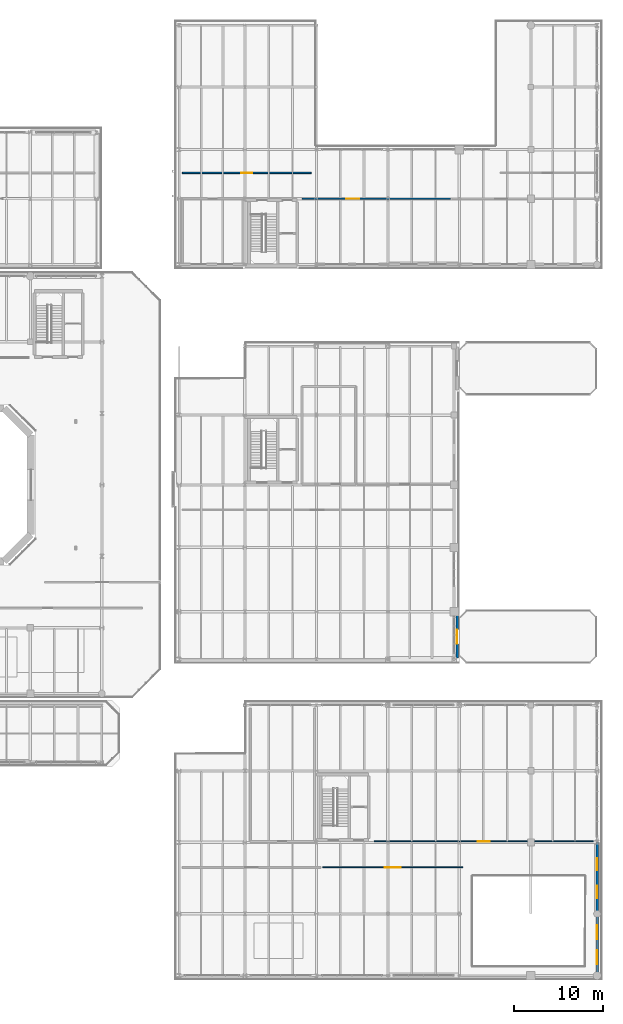
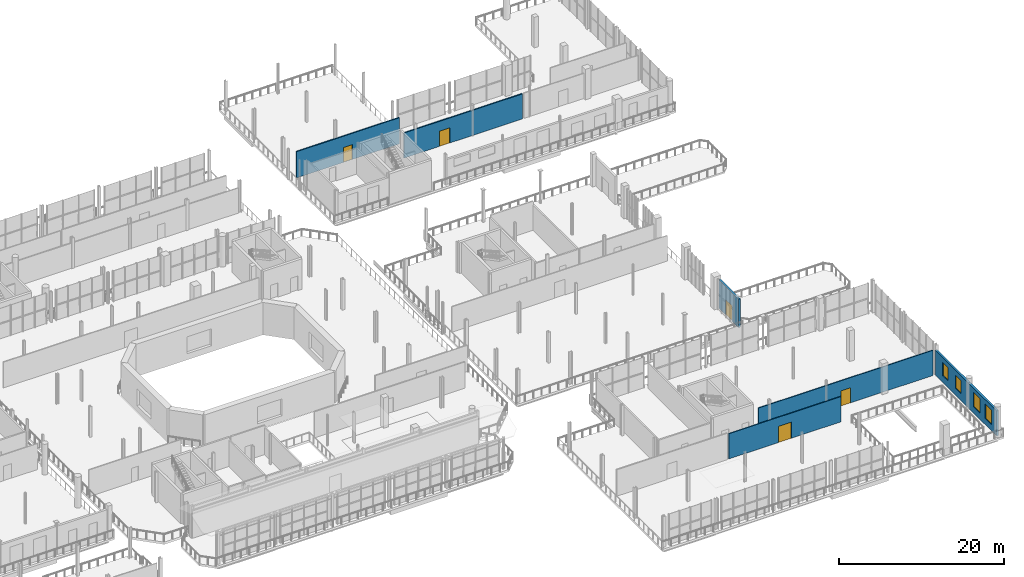
# One storey, part 74 of 93: 7 walls, 5 doors, 4 windows, 9 openings.
"""IFC4 building model written with IfcOpenShell, lengths in metres."""

from ifc_helpers import new_model, si_unit, direction, frame, frame_2d, origin, place, context, subcontext, project, spatial, rectangle, extrude, material, layer, layer_set, type_object, element, fill, save


model = new_model("IFC4")

# Units and contexts
model_context = context("Model", 3, precision=1e-05, world=origin(), true_north=direction((0.0, 1.0)))
body_context = subcontext(model_context, "Body", "Model", "MODEL_VIEW")
ifc_project = project(units=[si_unit("LENGTHUNIT", "METRE"), si_unit("AREAUNIT", "SQUARE_METRE"), si_unit("VOLUMEUNIT", "CUBIC_METRE"), si_unit("PLANEANGLEUNIT", "RADIAN"), si_unit("MASSUNIT", "GRAM", prefix="KILO")], contexts=[model_context])

# Site, building, storey
site_placement = place(None, origin())
site = spatial("IfcSite", under=ifc_project, at=site_placement, CompositionType="ELEMENT")
building_placement = place(site_placement, origin())
building = spatial("IfcBuilding", under=site, at=building_placement, Name="Brisemont Oceanarium", CompositionType="ELEMENT")
storey_placement = place(building_placement, frame((0.0, 0.0, 5.39990234375)))
storey = spatial("IfcBuildingStorey", under=building, at=storey_placement, Name="L01", CompositionType="ELEMENT", Elevation=5.39990234375)

# Wall, opening, door
ifc_material_1 = material(Name="Beaux-Arts Limestone Cladding Precast Concrete C40/50", Category="masonry")
ifc_layer_1 = layer(ifc_material_1, 0.280029296875)
ifc_layer_set_1 = layer_set([ifc_layer_1], Name="Beaux-Arts Limestone Cladding Precast Concrete C40/50")
wall_type_1 = type_object("IfcWallType", Name="EW-LIME-280", PredefinedType="STANDARD", material=ifc_layer_set_1)
wall_1_placement = place(storey_placement, frame((143.75, 36.60009765625, 0.0), z_axis=(0.0, 0.0, 1.0), x_axis=(0.0, 1.0, 0.0)))
wall_1 = element("IfcWall", 1, at=wall_1_placement, inside=storey, type_object=wall_type_1, Name="Beaux-Arts exterior wall EW-V5ETERS-L01", PredefinedType="STANDARD", context=body_context, shape_type="SweptSolid", body=[
    extrude(rectangle(XDim=4.7998046875, YDim=0.280029296875, at=frame_2d((2.39990234375, 0.0))), origin(), (0.0, 0.0, 1.0), 4.2001953125),
])
opening_1_placement = place(wall_1_placement, frame((1.60009765625, 0.0, 0.0)))
opening_1 = element("IfcOpeningElement", 2, at=opening_1_placement, cuts=wall_1, Name="Opening ED-01", PredefinedType="OPENING", context=body_context, shape_type="SweptSolid", body=[
    extrude(rectangle(XDim=1.60009765625, YDim=2.25, at=frame_2d((0.800048828125, 1.125))), frame((0.0, 0.14990234375, 0.0), z_axis=(0.0, -1.0, 0.0), x_axis=(1.0, 0.0, 0.0)), (0.0, 0.0, 1.0), 0.300048828125),
])
ifc_material_2 = material(Name="Anodized Extruded Aluminum 6063-T6", Category="aluminium")
door_type_1 = type_object("IfcDoorType", Name="DR-TER-1600X2250", OperationType="NOTDEFINED", PredefinedType="DOOR", material=ifc_material_2)
door_1_placement = place(opening_1_placement, origin())
door_1 = element("IfcDoor", 3, at=door_1_placement, inside=storey, type_object=door_type_1, Name="ED-01 exterior entrance door 6", OperationType="SINGLE_SWING_LEFT", OverallHeight=2.25, OverallWidth=1.60009765625, PredefinedType="DOOR", context=body_context, shape_type="SweptSolid", body=[
    extrude(rectangle(XDim=1.60009765625, YDim=2.25, at=frame_2d((0.800048828125, 1.125))), frame((0.0, 0.02490234375, 0.0), z_axis=(0.0, -1.0, 0.0), x_axis=(1.0, 0.0, 0.0)), (0.0, 0.0, 1.0), 0.050048828125),
])
fill(opening_1, door_1)

# Wall, openings, windows
wall_2_placement = place(storey_placement, frame((159.39990234375, 1.10009765625, 0.0), z_axis=(0.0, 0.0, 1.0), x_axis=(0.0, 1.0, 0.0)))
wall_2 = element("IfcWall", 4, at=wall_2_placement, inside=storey, type_object=wall_type_1, Name="Beaux-Arts exterior wall EW-V3-E-L01-1", PredefinedType="STANDARD", context=body_context, shape_type="SweptSolid", body=[
    extrude(rectangle(XDim=6.89990234375, YDim=0.280029296875, at=frame_2d((3.449951171875, 0.0))), origin(), (0.0, 0.0, 1.0), 3.7001953125),
])
opening_2_placement = place(wall_2_placement, frame((1.2666015625, 0.0, 0.949951171875)))
opening_2 = element("IfcOpeningElement", 5, at=opening_2_placement, cuts=wall_2, Name="Opening WIN-21", PredefinedType="OPENING", context=body_context, shape_type="SweptSolid", body=[
    extrude(rectangle(XDim=1.550048828125, YDim=2.14990234375, at=frame_2d((0.77490234375, 1.074951171875))), frame((0.0, 0.14990234375, 0.0), z_axis=(0.0, -1.0, 0.0), x_axis=(1.0, 0.0, 0.0)), (0.0, 0.0, 1.0), 0.300048828125),
])
opening_3_placement = place(wall_2_placement, frame((4.083251953125, 0.0, 0.949951171875)))
opening_3 = element("IfcOpeningElement", 6, at=opening_3_placement, cuts=wall_2, Name="Opening WIN-21", PredefinedType="OPENING", context=body_context, shape_type="SweptSolid", body=[
    extrude(rectangle(XDim=1.550048828125, YDim=2.14990234375, at=frame_2d((0.77490234375, 1.074951171875))), frame((0.0, 0.14990234375, 0.0), z_axis=(0.0, -1.0, 0.0), x_axis=(1.0, 0.0, 0.0)), (0.0, 0.0, 1.0), 0.300048828125),
])
ifc_material_3 = material(Name="Insulated Low-E Laminated Glass", Category="glass")
window_type_1 = type_object("IfcWindowType", Name="WIN-BA-1550X2150", PartitioningType="SINGLE_PANEL", PredefinedType="WINDOW", material=ifc_material_3)
window_1_placement = place(opening_2_placement, origin())
window_1 = element("IfcWindow", 7, at=window_1_placement, inside=storey, type_object=window_type_1, Name="WIN-21 facade window 102", OverallHeight=2.14990234375, OverallWidth=1.550048828125, PartitioningType="SINGLE_PANEL", PredefinedType="WINDOW", context=body_context, shape_type="SweptSolid", body=[
    extrude(rectangle(XDim=1.550048828125, YDim=2.14990234375, at=frame_2d((0.77490234375, 1.074951171875))), frame((0.0, 0.030029296875, 0.0), z_axis=(0.0, -1.0, 0.0), x_axis=(1.0, 0.0, 0.0)), (0.0, 0.0, 1.0), 0.06005859375),
])
fill(opening_2, window_1)
window_2_placement = place(opening_3_placement, origin())
window_2 = element("IfcWindow", 8, at=window_2_placement, inside=storey, type_object=window_type_1, Name="WIN-21 facade window 103", OverallHeight=2.14990234375, OverallWidth=1.550048828125, PartitioningType="SINGLE_PANEL", PredefinedType="WINDOW", context=body_context, shape_type="SweptSolid", body=[
    extrude(rectangle(XDim=1.550048828125, YDim=2.14990234375, at=frame_2d((0.77490234375, 1.074951171875))), frame((0.0, 0.030029296875, 0.0), z_axis=(0.0, -1.0, 0.0), x_axis=(1.0, 0.0, 0.0)), (0.0, 0.0, 1.0), 0.06005859375),
])
fill(opening_3, window_2)

wall_3_placement = place(storey_placement, frame((159.39990234375, 8.0, 0.0), z_axis=(0.0, 0.0, 1.0), x_axis=(0.0, 1.0, 0.0)))
wall_3 = element("IfcWall", 9, at=wall_3_placement, inside=storey, type_object=wall_type_1, Name="Beaux-Arts exterior wall EW-V3-E-L01-2", PredefinedType="STANDARD", context=body_context, shape_type="SweptSolid", body=[
    extrude(rectangle(XDim=8.0, YDim=0.280029296875, at=frame_2d((4.0, 0.0))), origin(), (0.0, 0.0, 1.0), 3.7001953125),
])
opening_4_placement = place(wall_3_placement, frame((1.7666015625, 0.0, 1.0)))
opening_4 = element("IfcOpeningElement", 10, at=opening_4_placement, cuts=wall_3, Name="Opening WIN-23", PredefinedType="OPENING", context=body_context, shape_type="SweptSolid", body=[
    extrude(rectangle(XDim=1.35009765625, YDim=1.949951171875, at=frame_2d((0.675048828125, 0.97509765625))), frame((0.0, 0.14990234375, 0.0), z_axis=(0.0, -1.0, 0.0), x_axis=(1.0, 0.0, 0.0)), (0.0, 0.0, 1.0), 0.300048828125),
])
opening_5_placement = place(wall_3_placement, frame((4.88330078125, 0.0, 1.0)))
opening_5 = element("IfcOpeningElement", 11, at=opening_5_placement, cuts=wall_3, Name="Opening WIN-23", PredefinedType="OPENING", context=body_context, shape_type="SweptSolid", body=[
    extrude(rectangle(XDim=1.35009765625, YDim=1.949951171875, at=frame_2d((0.675048828125, 0.97509765625))), frame((0.0, 0.14990234375, 0.0), z_axis=(0.0, -1.0, 0.0), x_axis=(1.0, 0.0, 0.0)), (0.0, 0.0, 1.0), 0.300048828125),
])
ifc_material_4 = material(Name="Insulated Low-E Laminated Glass", Category="glass")
window_type_2 = type_object("IfcWindowType", Name="WIN-BA-1350X1950", PartitioningType="SINGLE_PANEL", PredefinedType="WINDOW", material=ifc_material_4)
window_3_placement = place(opening_4_placement, origin())
window_3 = element("IfcWindow", 12, at=window_3_placement, inside=storey, type_object=window_type_2, Name="WIN-23 facade window 104", OverallHeight=1.949951171875, OverallWidth=1.35009765625, PartitioningType="SINGLE_PANEL", PredefinedType="WINDOW", context=body_context, shape_type="SweptSolid", body=[
    extrude(rectangle(XDim=1.35009765625, YDim=1.949951171875, at=frame_2d((0.675048828125, 0.97509765625))), frame((0.0, 0.030029296875, 0.0), z_axis=(0.0, -1.0, 0.0), x_axis=(1.0, 0.0, 0.0)), (0.0, 0.0, 1.0), 0.06005859375),
])
fill(opening_4, window_3)
window_4_placement = place(opening_5_placement, origin())
window_4 = element("IfcWindow", 13, at=window_4_placement, inside=storey, type_object=window_type_2, Name="WIN-23 facade window 105", OverallHeight=1.949951171875, OverallWidth=1.35009765625, PartitioningType="SINGLE_PANEL", PredefinedType="WINDOW", context=body_context, shape_type="SweptSolid", body=[
    extrude(rectangle(XDim=1.35009765625, YDim=1.949951171875, at=frame_2d((0.675048828125, 0.97509765625))), frame((0.0, 0.030029296875, 0.0), z_axis=(0.0, -1.0, 0.0), x_axis=(1.0, 0.0, 0.0)), (0.0, 0.0, 1.0), 0.06005859375),
])
fill(opening_5, window_4)

# Wall, opening, door
ifc_material_5 = material(Name="Moisture-Resistant Gypsum Steel-Stud Partition", Category="steel")
ifc_layer_2 = layer(ifc_material_5, 0.159912109375)
ifc_layer_set_2 = layer_set([ifc_layer_2], Name="Moisture-Resistant Gypsum Steel-Stud Partition")
wall_type_2 = type_object("IfcWallType", Name="IW-FB-160", PredefinedType="PARTITIONING", material=ifc_layer_set_2)
wall_4_placement = place(storey_placement, frame((126.39990234375, 88.0, 0.0), z_axis=(0.0, 0.0, 1.0), x_axis=(1.0, 0.0, 0.0)))
wall_4 = element("IfcWall", 14, at=wall_4_placement, inside=storey, type_object=wall_type_2, Name="Coral Spawning and Calcification Wet Lab corridor partition", PredefinedType="PARTITIONING", context=body_context, shape_type="SweptSolid", body=[
    extrude(rectangle(XDim=16.60009765625, YDim=0.159912109375, at=frame_2d((8.300048828125, 0.0))), origin(), (0.0, 0.0, 1.0), 3.718017578125),
])
opening_6_placement = place(wall_4_placement, frame((4.963134765625, 0.0, 0.0)))
opening_6 = element("IfcOpeningElement", 15, at=opening_6_placement, cuts=wall_4, Name="Opening FD90-1", PredefinedType="OPENING", context=body_context, shape_type="SweptSolid", body=[
    extrude(rectangle(XDim=1.449951171875, YDim=2.25, at=frame_2d((0.72509765625, 1.125))), frame((0.0, 0.08984375, 0.0), z_axis=(0.0, -1.0, 0.0), x_axis=(1.0, 0.0, 0.0)), (0.0, 0.0, 1.0), 0.179931640625),
])
ifc_material_6 = material(Name="FSC White Oak Solid-Core Fire Door")
door_type_2 = type_object("IfcDoorType", Name="DR-LOB-1450X2250", OperationType="NOTDEFINED", PredefinedType="DOOR", material=ifc_material_6)
door_2_placement = place(opening_6_placement, origin())
door_2 = element("IfcDoor", 16, at=door_2_placement, inside=storey, type_object=door_type_2, Name="FD90-1 door to Coral Spawning and Calcification Wet Lab", OperationType="SINGLE_SWING_RIGHT", OverallHeight=2.25, OverallWidth=1.449951171875, PredefinedType="DOOR", context=body_context, shape_type="SweptSolid", body=[
    extrude(rectangle(XDim=1.449951171875, YDim=2.25, at=frame_2d((0.72509765625, 1.125))), frame((0.0, 0.02490234375, 0.0), z_axis=(0.0, -1.0, 0.0), x_axis=(1.0, 0.0, 0.0)), (0.0, 0.0, 1.0), 0.050048828125),
])
fill(opening_6, door_2)

wall_5_placement = place(storey_placement, frame((113.0, 90.89990234375, 0.0), z_axis=(0.0, 0.0, 1.0), x_axis=(1.0, 0.0, 0.0)))
wall_5 = element("IfcWall", 17, at=wall_5_placement, inside=storey, type_object=wall_type_2, Name="Larval Rearing Culture Wet Laboratory corridor partition", PredefinedType="PARTITIONING", context=body_context, shape_type="SweptSolid", body=[
    extrude(rectangle(XDim=14.39990234375, YDim=0.159912109375, at=frame_2d((7.199951171875, 0.0))), origin(), (0.0, 0.0, 1.0), 3.878173828125),
])
opening_7_placement = place(wall_5_placement, frame((6.574951171875, 0.0, 0.0)))
opening_7 = element("IfcOpeningElement", 18, at=opening_7_placement, cuts=wall_5, Name="Opening LB-02", PredefinedType="OPENING", context=body_context, shape_type="SweptSolid", body=[
    extrude(rectangle(XDim=1.25, YDim=2.199951171875, at=frame_2d((0.625, 1.10009765625))), frame((0.0, 0.08984375, 0.0), z_axis=(0.0, -1.0, 0.0), x_axis=(1.0, 0.0, 0.0)), (0.0, 0.0, 1.0), 0.179931640625),
])
ifc_material_7 = material(Name="Duplex Stainless Steel EN 1.4462", Category="steel")
door_type_3 = type_object("IfcDoorType", Name="DR-LAB-1250X2200", OperationType="NOTDEFINED", PredefinedType="DOOR", material=ifc_material_7)
door_3_placement = place(opening_7_placement, origin())
door_3 = element("IfcDoor", 19, at=door_3_placement, inside=storey, type_object=door_type_3, Name="LB-02 door to Larval Rearing Culture Wet Laboratory", OperationType="SINGLE_SWING_RIGHT", OverallHeight=2.199951171875, OverallWidth=1.25, PredefinedType="DOOR", context=body_context, shape_type="SweptSolid", body=[
    extrude(rectangle(XDim=1.25, YDim=2.199951171875, at=frame_2d((0.625, 1.10009765625))), frame((0.0, 0.02490234375, 0.0), z_axis=(0.0, -1.0, 0.0), x_axis=(1.0, 0.0, 0.0)), (0.0, 0.0, 1.0), 0.050048828125),
])
fill(opening_7, door_3)

ifc_material_8 = material(Name="Moisture-Resistant Gypsum Steel-Stud Partition", Category="steel")
ifc_layer_3 = layer(ifc_material_8, 0.1201171875)
ifc_layer_set_3 = layer_set([ifc_layer_3], Name="Moisture-Resistant Gypsum Steel-Stud Partition")
wall_type_3 = type_object("IfcWallType", Name="IW-PART-120", PredefinedType="PARTITIONING", material=ifc_layer_set_3)
wall_6_placement = place(storey_placement, frame((128.699951171875, 13.199951171875, 0.0), z_axis=(0.0, 0.0, 1.0), x_axis=(1.0, 0.0, 0.0)))
wall_6 = element("IfcWall", 20, at=wall_6_placement, inside=storey, type_object=wall_type_3, Name="Education Centre Plankton Ecology Lab corridor partition", PredefinedType="PARTITIONING", context=body_context, shape_type="SweptSolid", body=[
    extrude(rectangle(XDim=15.699951171875, YDim=0.1201171875, at=frame_2d((7.85009765625, 0.0))), origin(), (0.0, 0.0, 1.0), 3.738037109375),
])
opening_8_placement = place(wall_6_placement, frame((6.949951171875, 0.0, 0.0)))
opening_8 = element("IfcOpeningElement", 21, at=opening_8_placement, cuts=wall_6, Name="Opening GD-01", PredefinedType="OPENING", context=body_context, shape_type="SweptSolid", body=[
    extrude(rectangle(XDim=1.800048828125, YDim=2.39990234375, at=frame_2d((0.89990234375, 1.199951171875))), frame((0.0, 0.070068359375, 0.0), z_axis=(0.0, -1.0, 0.0), x_axis=(1.0, 0.0, 0.0)), (0.0, 0.0, 1.0), 0.14013671875),
])
ifc_material_9 = material(Name="Patinated Architectural Bronze C38500")
door_type_4 = type_object("IfcDoorType", Name="DR-GAL-1800X2400", OperationType="NOTDEFINED", PredefinedType="DOOR", material=ifc_material_9)
door_4_placement = place(opening_8_placement, origin())
door_4 = element("IfcDoor", 22, at=door_4_placement, inside=storey, type_object=door_type_4, Name="GD-01 door to Education Centre Plankton Ecology Lab", OperationType="SINGLE_SWING_LEFT", OverallHeight=2.39990234375, OverallWidth=1.800048828125, PredefinedType="DOOR", context=body_context, shape_type="SweptSolid", body=[
    extrude(rectangle(XDim=1.800048828125, YDim=2.39990234375, at=frame_2d((0.89990234375, 1.199951171875))), frame((0.0, 0.02490234375, 0.0), z_axis=(0.0, -1.0, 0.0), x_axis=(1.0, 0.0, 0.0)), (0.0, 0.0, 1.0), 0.050048828125),
])
fill(opening_8, door_4)

wall_7_placement = place(storey_placement, frame((134.5, 16.10009765625, 0.0), z_axis=(0.0, 0.0, 1.0), x_axis=(1.0, 0.0, 0.0)))
wall_7 = element("IfcWall", 23, at=wall_7_placement, inside=storey, type_object=wall_type_3, Name="Education Centre Teacher Resource Workshop corridor partition", PredefinedType="PARTITIONING", context=body_context, shape_type="SweptSolid", body=[
    extrude(rectangle(XDim=24.5, YDim=0.1201171875, at=frame_2d((12.25, 0.0))), origin(), (0.0, 0.0, 1.0), 3.738037109375),
])
opening_9_placement = place(wall_7_placement, frame((11.574951171875, 0.0, 0.0)))
opening_9 = element("IfcOpeningElement", 24, at=opening_9_placement, cuts=wall_7, Name="Opening LB-01", PredefinedType="OPENING", context=body_context, shape_type="SweptSolid", body=[
    extrude(rectangle(XDim=1.35009765625, YDim=2.25, at=frame_2d((0.675048828125, 1.125))), frame((0.0, 0.070068359375, 0.0), z_axis=(0.0, -1.0, 0.0), x_axis=(1.0, 0.0, 0.0)), (0.0, 0.0, 1.0), 0.14013671875),
])
ifc_material_10 = material(Name="Duplex Stainless Steel EN 1.4462", Category="steel")
door_type_5 = type_object("IfcDoorType", Name="DR-LAB-1350X2250", OperationType="NOTDEFINED", PredefinedType="DOOR", material=ifc_material_10)
door_5_placement = place(opening_9_placement, origin())
door_5 = element("IfcDoor", 25, at=door_5_placement, inside=storey, type_object=door_type_5, Name="LB-01 door to Education Centre Teacher Resource Workshop", OperationType="SINGLE_SWING_LEFT", OverallHeight=2.25, OverallWidth=1.35009765625, PredefinedType="DOOR", context=body_context, shape_type="SweptSolid", body=[
    extrude(rectangle(XDim=1.35009765625, YDim=2.25, at=frame_2d((0.675048828125, 1.125))), frame((0.0, 0.02490234375, 0.0), z_axis=(0.0, -1.0, 0.0), x_axis=(1.0, 0.0, 0.0)), (0.0, 0.0, 1.0), 0.050048828125),
])
fill(opening_9, door_5)

save(model, "model.ifc")
